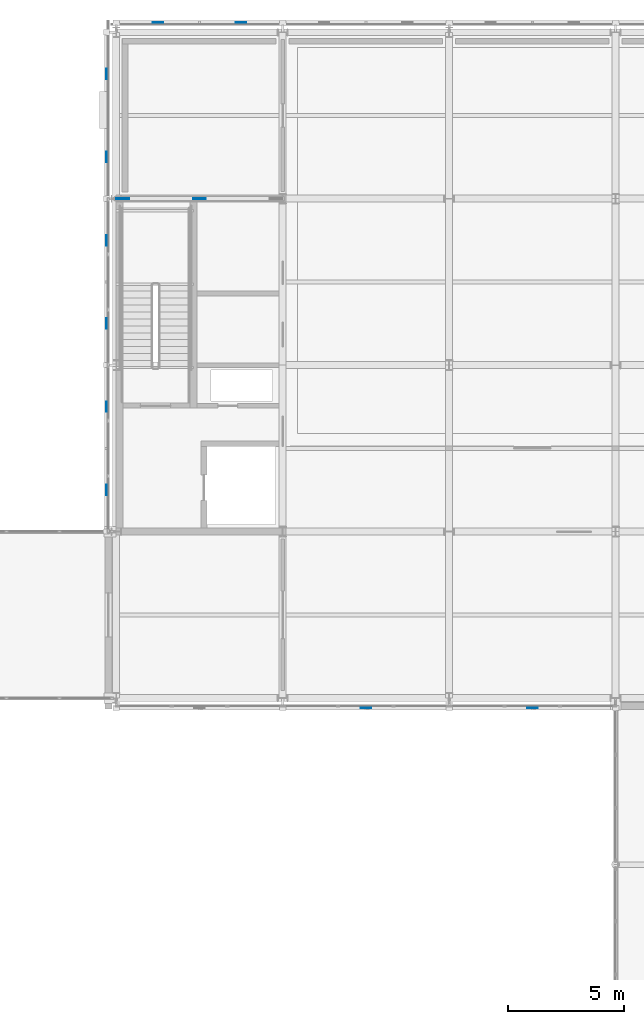
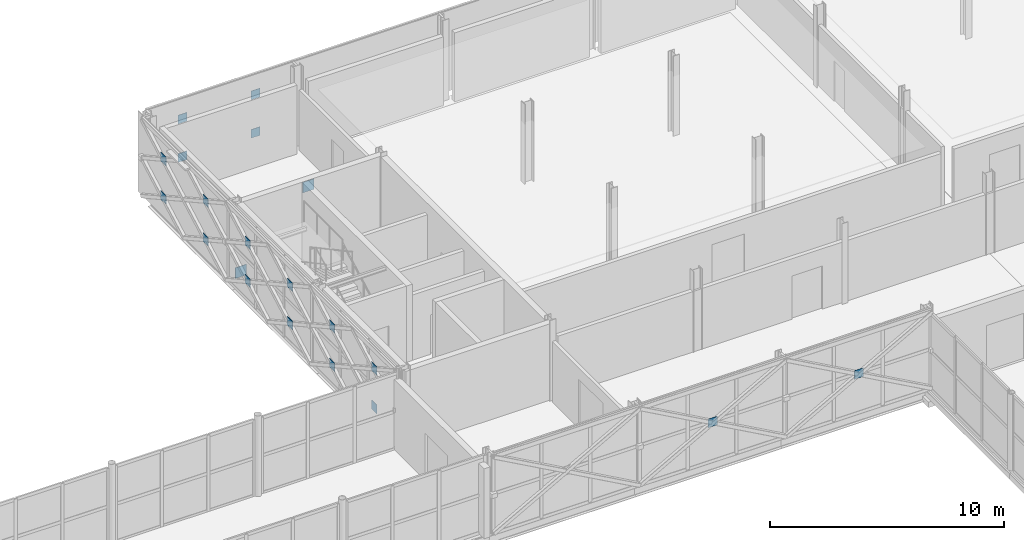
# One storey, part 108 of 146: 20 plates.
"""IFC4 building model written with IfcOpenShell, lengths in metres."""

import ifcopenshell
import ifcopenshell.guid

model = None  # the IFC model being written
_history = None  # IfcOwnerHistory: only IFC2X3 demands one
_inside = {}  # id of a spatial element -> (the spatial element, [elements in it])
_under = {}  # id of a project, library or spatial element -> (it, [spatial elements below it])
_declared = {}  # id of a project -> (the project, [libraries it declares])
_typed = {}  # id of a type object -> (the type object, [elements of that type])
_made_of = {}  # id of a material, layer set ... -> (it, [elements and type objects made of it])


def new_model(schema):
    """Start an empty IFC model of exactly this schema.

    Asked for "IFC4X3", IfcOpenShell would pick the latest addendum, in which some entities
    have other attributes; the version numbers below select the first issue.
    IFC2X3 requires an IfcOwnerHistory on every rooted entity: one is made here for all.
    """
    global model, _history
    if schema == "IFC4X3":
        model = ifcopenshell.file(schema_version=(4, 3, 0, 0))
    else:
        model = ifcopenshell.file(schema=schema)
    _inside.clear()
    _under.clear()
    _declared.clear()
    _typed.clear()
    _made_of.clear()
    _history = None
    if model.schema == "IFC2X3":
        org = make("IfcOrganization", Name="unknown")
        user = make(
            "IfcPersonAndOrganization",
            ThePerson=make("IfcPerson", FamilyName="unknown"),
            TheOrganization=org,
        )
        app = make(
            "IfcApplication",
            ApplicationDeveloper=org,
            Version="unknown",
            ApplicationFullName="unknown",
            ApplicationIdentifier="unknown",
        )
        _history = make(
            "IfcOwnerHistory",
            OwningUser=user,
            OwningApplication=app,
            ChangeAction="ADDED",
            CreationDate=0,
        )
    return model


def make(cls, **values):
    """One entity of the class cls with the attributes given. An attribute that is None is left unset."""
    return model.create_entity(
        cls, **{name: value for name, value in values.items() if value is not None}
    )


def rooted(cls, **values):
    """An entity with a GlobalId (a new one), such as an element, a storey or a relation."""
    return make(cls, GlobalId=ifcopenshell.guid.new(), OwnerHistory=_history, **values)


def si_unit(unit_type, name, prefix=None):
    """IfcSIUnit, for example si_unit("LENGTHUNIT", "METRE", prefix="MILLI")."""
    return make("IfcSIUnit", UnitType=unit_type, Prefix=prefix, Name=name)


def assignment(units):
    """IfcUnitAssignment: the units of a project."""
    return None if units is None else make("IfcUnitAssignment", Units=units)


def point(xyz):
    """IfcCartesianPoint."""
    return None if xyz is None else make("IfcCartesianPoint", Coordinates=xyz)


def direction(xyz):
    """IfcDirection."""
    return None if xyz is None else make("IfcDirection", DirectionRatios=xyz)


def frame(location, z_axis=None, x_axis=None):
    """IfcAxis2Placement3D, a coordinate frame: its origin and axes. An axis left out is left unset."""
    return make(
        "IfcAxis2Placement3D",
        Location=point(location),
        Axis=direction(z_axis),
        RefDirection=direction(x_axis),
    )


def frame_2d(location, x_axis=None):
    """IfcAxis2Placement2D, a coordinate frame in the plane: its origin and x axis."""
    return make(
        "IfcAxis2Placement2D", Location=point(location), RefDirection=direction(x_axis)
    )


def origin():
    """The frame at (0, 0, 0) with its axes left unset."""
    return frame((0.0, 0.0, 0.0))


def origin_2d():
    """The frame at (0, 0) in the plane with its x axis left unset."""
    return frame_2d((0.0, 0.0))


def place(relative_to, where):
    """IfcLocalPlacement: puts the frame where relative to a parent placement (None: the world)."""
    return make(
        "IfcLocalPlacement", PlacementRelTo=relative_to, RelativePlacement=where
    )


def context(
    kind, dimensions, precision=None, world=None, true_north=None, identifier=None
):
    """IfcGeometricRepresentationContext, for example the 3D "Model" context."""
    return make(
        "IfcGeometricRepresentationContext",
        ContextIdentifier=identifier,
        ContextType=kind,
        CoordinateSpaceDimension=dimensions,
        Precision=precision,
        WorldCoordinateSystem=world,
        TrueNorth=true_north,
    )


def subcontext(parent, identifier, kind, view, scale=None):
    """IfcGeometricRepresentationSubContext, for example "Body" below "Model"."""
    return make(
        "IfcGeometricRepresentationSubContext",
        ContextIdentifier=identifier,
        ContextType=kind,
        ParentContext=parent,
        TargetScale=scale,
        TargetView=view,
    )


def project(units=None, contexts=None):
    """IfcProject with its units and contexts."""
    return rooted(
        "IfcProject",
        Name="project",
        RepresentationContexts=contexts,
        UnitsInContext=assignment(units),
    )


def spatial(cls, under=None, at=None, **own):
    """A site, building, storey or space (cls), placed at a placement, below another one or the project."""
    s = rooted(cls, ObjectPlacement=at, **own)
    if under is not None:
        _under.setdefault(under.id(), (under, []))[1].append(s)
    return s


def profile(cls, at=None, kind="AREA", **sizes):
    """A parametric profile (cls). Its sizes go by their IFC names, for example OverallWidth=200.0."""
    return make(cls, ProfileType=kind, Position=at, **sizes)


def rectangle(**sizes):
    """IfcRectangleProfileDef."""
    return profile("IfcRectangleProfileDef", **sizes)


def extrude(swept, where, along, depth):
    """IfcExtrudedAreaSolid: the profile swept, set in the frame where, extruded along a direction by depth."""
    return make(
        "IfcExtrudedAreaSolid",
        SweptArea=swept,
        Position=where,
        ExtrudedDirection=direction(along),
        Depth=depth,
    )


def shape(context_of_items, identifier, shape_type, items):
    """IfcShapeRepresentation: the items that make up one representation, for example the "Body"."""
    return make(
        "IfcShapeRepresentation",
        ContextOfItems=context_of_items,
        RepresentationIdentifier=identifier,
        RepresentationType=shape_type,
        Items=items,
    )


def material(Name=None, Category=None):
    """IfcMaterial."""
    return make("IfcMaterial", Name=Name, Category=Category)


def layer(
    of_material, thickness, ventilated=None, Name=None, Category=None, Priority=None
):
    """IfcMaterialLayer: one layer of a wall or slab, of a material (None: an air gap)."""
    return make(
        "IfcMaterialLayer",
        Material=of_material,
        LayerThickness=thickness,
        IsVentilated=ventilated,
        Name=Name,
        Category=Category,
        Priority=Priority,
    )


def layer_set(layers, Name=None):
    """IfcMaterialLayerSet."""
    return make("IfcMaterialLayerSet", MaterialLayers=layers, LayerSetName=Name)


def made_of(thing, what):
    """Note that an element or type object is made of a material, layer set ...; save() writes the relation."""
    if what is not None:
        _made_of.setdefault(what.id(), (what, []))[1].append(thing)
    return thing


def type_object(cls, material=None, **own):
    """A type object (cls), such as IfcWallType, which elements share."""
    return made_of(rooted(cls, **own), material)


def element(
    cls,
    number,
    at=None,
    inside=None,
    cuts=None,
    type_object=None,
    material=None,
    context=None,
    identifier="Body",
    shape_type=None,
    held_by="IfcProductDefinitionShape",
    body=None,
    shapes=None,
    **own,
):
    """One element of the class cls, such as IfcWall. Its Tag is "e" and its number.

    at: its placement. inside: the storey or other place that contains it. cuts: it is an
    opening in that element (IfcRelVoidsElement). A single representation is given by context,
    identifier, shape_type and body (its items); several are given by shapes. held_by: the class
    of the entity that holds the representations. save() writes the other relations.
    """
    e = rooted(cls, Tag="e%d" % number, ObjectPlacement=at, **own)
    if body is not None:
        shapes = [shape(context, identifier, shape_type, body)]
    if shapes is not None:
        e.Representation = make(held_by, Representations=shapes)
    if inside is not None:
        _inside.setdefault(inside.id(), (inside, []))[1].append(e)
    if cuts is not None:
        rooted(
            "IfcRelVoidsElement", RelatingBuildingElement=cuts, RelatedOpeningElement=e
        )
    if type_object is not None:
        _typed.setdefault(type_object.id(), (type_object, []))[1].append(e)
    return made_of(e, material)


def aggregate(whole, parts):
    """IfcRelAggregates: a whole, such as a stair, and the parts it consists of."""
    return rooted("IfcRelAggregates", RelatingObject=whole, RelatedObjects=parts)


def save(model, path):
    """Write the relations noted so far, then the file.

    IfcRelAggregates (storeys below a building ...), IfcRelContainedInSpatialStructure (elements
    in a storey), IfcRelDefinesByType, IfcRelAssociatesMaterial and IfcRelDeclares: one each for
    every whole, place, type object, material and project.
    """
    for whole, parts in _under.values():
        aggregate(whole, parts)
    for where, things in _inside.values():
        rooted(
            "IfcRelContainedInSpatialStructure",
            RelatedElements=things,
            RelatingStructure=where,
        )
    for kind, things in _typed.values():
        rooted("IfcRelDefinesByType", RelatedObjects=things, RelatingType=kind)
    for what, things in _made_of.values():
        rooted("IfcRelAssociatesMaterial", RelatedObjects=things, RelatingMaterial=what)
    for by, libraries in _declared.values():
        rooted("IfcRelDeclares", RelatingContext=by, RelatedDefinitions=libraries)
    model.write(path)


model = new_model("IFC4")

# Units and contexts
model_context = context("Model", 3, precision=1e-05, world=origin(), true_north=direction((0.0, 1.0)))
body_context = subcontext(model_context, "Body", "Model", "MODEL_VIEW")
ifc_project = project(units=[si_unit("LENGTHUNIT", "METRE"), si_unit("AREAUNIT", "SQUARE_METRE"), si_unit("VOLUMEUNIT", "CUBIC_METRE"), si_unit("PLANEANGLEUNIT", "RADIAN"), si_unit("MASSUNIT", "GRAM", prefix="KILO")], contexts=[model_context])

# Site, building, storey
site_placement = place(None, origin())
site = spatial("IfcSite", under=ifc_project, at=site_placement, CompositionType="ELEMENT")
building_placement = place(site_placement, origin())
building = spatial("IfcBuilding", under=site, at=building_placement, Name="Zlatovets Crest Museum", CompositionType="ELEMENT")
storey_placement = place(building_placement, frame((0.0, 0.0, 4.5)))
storey = spatial("IfcBuildingStorey", under=building, at=storey_placement, Name="L01", CompositionType="ELEMENT", Elevation=4.5)

# Plates
ifc_material = material(Name="Structural steel S355J2", Category="steel")
ifc_layer_1 = layer(ifc_material, 0.02490234375)
ifc_layer_set_1 = layer_set([ifc_layer_1], Name="Structural steel S355J2")
plate_type_1 = type_object("IfcPlateType", Name="Gusset_GP-01", PredefinedType="USERDEFINED", material=ifc_layer_set_1)
for number, where, z_axis, x_axis, name in (
    (1, (57.8798828125, 108.0, 0.0048828125), (0.0, 0.0, 1.0), (1.0, 0.0, 0.0), "V1 L01 Brace End Gusset Plate GP-01"),
    (2, (61.199951171875, 108.0, 3.294921875), (0.0, 0.0, 1.0), (1.0, 0.0, 0.0), "V1 L01 Brace End Gusset Plate GP-01"),
):
    element("IfcPlate", number, at=place(storey_placement, frame(where, z_axis=z_axis, x_axis=x_axis)), inside=storey, type_object=plate_type_1, Name=name, ObjectType="GUSSET", PredefinedType="USERDEFINED", context=body_context, shape_type="SweptSolid", body=[
        extrude(rectangle(XDim=0.550048828125, YDim=0.02490234375, at=origin_2d()), origin(), (0.0, 0.0, 1.0), 0.550048828125),
    ])
ifc_layer_2 = layer(ifc_material, 0.02001953125)
ifc_layer_set_2 = layer_set([ifc_layer_2], Name="Structural steel S355J2")
plate_type_2 = type_object("IfcPlateType", Name="Gusset_GP-04", PredefinedType="USERDEFINED", material=ifc_layer_set_2)
for number, where, z_axis, x_axis, name in (
    (3, (68.39990234375, 85.97998046875, 1.875), (0.0, 0.0, 1.0), (1.0, 0.0, 0.0), "X-Brace Crossing Node Gusset Plate GP-04"),
    (4, (75.60009765625, 85.97998046875, 1.875), (0.0, 0.0, 1.0), (1.0, 0.0, 0.0), "X-Brace Crossing Node Gusset Plate GP-04"),
    (5, (63.0, 115.6201171875, 0.875), (0.0, 0.0, 1.0), (1.0, 0.0, 0.0), "X-Brace Crossing Node Gusset Plate GP-04"),
    (6, (59.39990234375, 115.6201171875, 0.875), (0.0, 0.0, 1.0), (1.0, 0.0, 0.0), "X-Brace Crossing Node Gusset Plate GP-04"),
    (7, (63.0, 115.6201171875, 2.875), (0.0, 0.0, 1.0), (1.0, 0.0, 0.0), "X-Brace Crossing Node Gusset Plate GP-04"),
    (8, (59.39990234375, 115.6201171875, 2.875), (0.0, 0.0, 1.0), (1.0, 0.0, 0.0), "X-Brace Crossing Node Gusset Plate GP-04"),
):
    element("IfcPlate", number, at=place(storey_placement, frame(where, z_axis=z_axis, x_axis=x_axis)), inside=storey, type_object=plate_type_2, Name=name, ObjectType="GUSSET", PredefinedType="USERDEFINED", context=body_context, shape_type="SweptSolid", body=[
        extrude(rectangle(XDim=0.449951171875, YDim=0.02001953125, at=origin_2d()), origin(), (0.0, 0.0, 1.0), 0.449951171875),
    ])
for number, where, z_axis, x_axis, name in (
    (9, (57.179931640625, 113.39990234375, 0.875), (0.0, 0.0, 1.0), (1.0, 0.0, 0.0), "X-Brace Crossing Node Gusset Plate GP-04"),
    (10, (57.179931640625, 109.800048828125, 0.875), (0.0, 0.0, 1.0), (1.0, 0.0, 0.0), "X-Brace Crossing Node Gusset Plate GP-04"),
    (11, (57.179931640625, 113.39990234375, 2.875), (0.0, 0.0, 1.0), (1.0, 0.0, 0.0), "X-Brace Crossing Node Gusset Plate GP-04"),
    (12, (57.179931640625, 109.800048828125, 2.875), (0.0, 0.0, 1.0), (1.0, 0.0, 0.0), "X-Brace Crossing Node Gusset Plate GP-04"),
    (13, (57.179931640625, 106.199951171875, 0.875), (0.0, 0.0, 1.0), (1.0, 0.0, 0.0), "X-Brace Crossing Node Gusset Plate GP-04"),
    (14, (57.179931640625, 102.60009765625, 0.875), (0.0, 0.0, 1.0), (1.0, 0.0, 0.0), "X-Brace Crossing Node Gusset Plate GP-04"),
    (15, (57.179931640625, 106.199951171875, 2.875), (0.0, 0.0, 1.0), (1.0, 0.0, 0.0), "X-Brace Crossing Node Gusset Plate GP-04"),
    (16, (57.179931640625, 102.60009765625, 2.875), (0.0, 0.0, 1.0), (1.0, 0.0, 0.0), "X-Brace Crossing Node Gusset Plate GP-04"),
    (17, (57.179931640625, 99.0, 0.875), (0.0, 0.0, 1.0), (1.0, 0.0, 0.0), "X-Brace Crossing Node Gusset Plate GP-04"),
    (18, (57.179931640625, 95.39990234375, 0.875), (0.0, 0.0, 1.0), (1.0, 0.0, 0.0), "X-Brace Crossing Node Gusset Plate GP-04"),
    (19, (57.179931640625, 99.0, 2.875), (0.0, 0.0, 1.0), (1.0, 0.0, 0.0), "X-Brace Crossing Node Gusset Plate GP-04"),
    (20, (57.179931640625, 95.39990234375, 2.875), (0.0, 0.0, 1.0), (1.0, 0.0, 0.0), "X-Brace Crossing Node Gusset Plate GP-04"),
):
    element("IfcPlate", number, at=place(storey_placement, frame(where, z_axis=z_axis, x_axis=x_axis)), inside=storey, type_object=plate_type_2, Name=name, ObjectType="GUSSET", PredefinedType="USERDEFINED", context=body_context, shape_type="SweptSolid", body=[
        extrude(rectangle(XDim=0.02001953125, YDim=0.449951171875, at=origin_2d()), origin(), (0.0, 0.0, 1.0), 0.449951171875),
    ])

save(model, "model.ifc")
